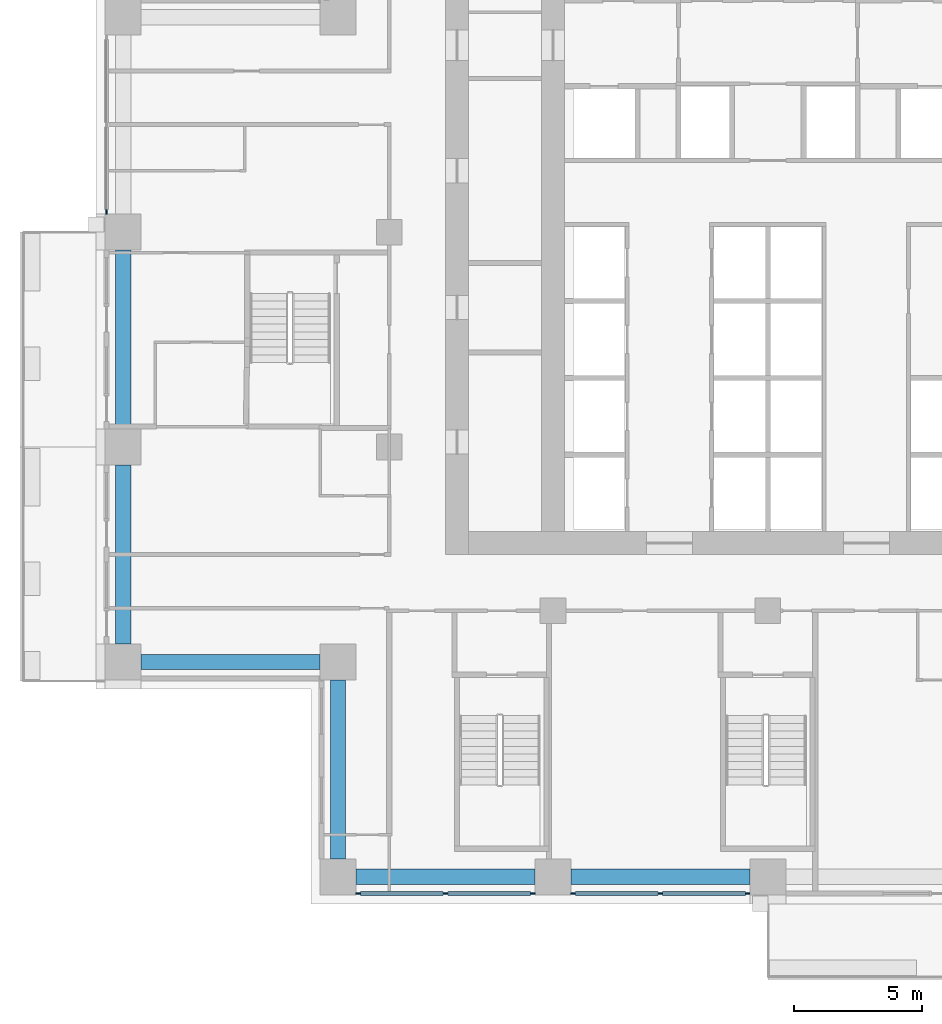
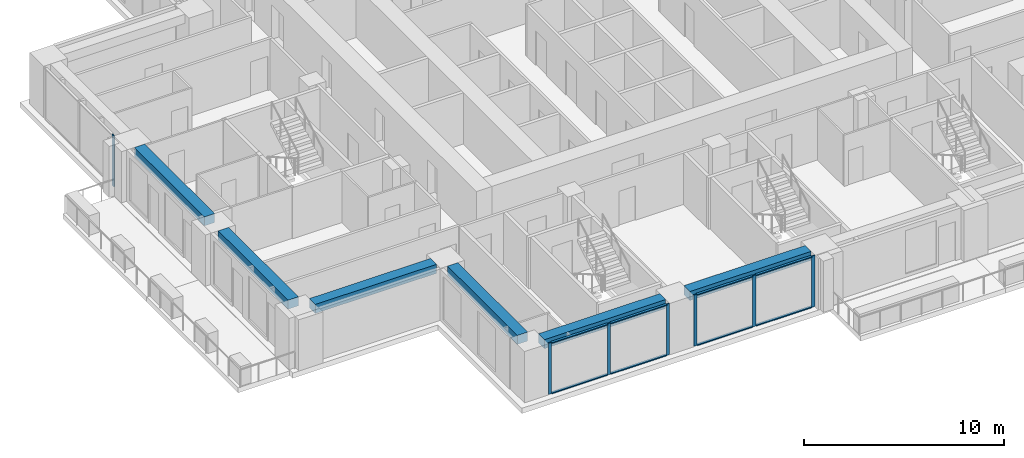
# One storey, part 2 of 17: 15 members, 6 beams, 3 elements without a shape of their own.
"""IFC4 building model written with IfcOpenShell, lengths in metres."""

from ifc_helpers import new_model, si_unit, direction, frame, origin, origin_2d, place, context, subcontext, project, spatial, rectangle, extrude, material, material_profile, profile_set, type_object, element, aggregate, save


model = new_model("IFC4")

# Units and contexts
model_context = context("Model", 3, precision=1e-05, world=origin(), true_north=direction((0.0, 1.0)))
body_context = subcontext(model_context, "Body", "Model", "MODEL_VIEW")
ifc_project = project(units=[si_unit("LENGTHUNIT", "METRE"), si_unit("AREAUNIT", "SQUARE_METRE"), si_unit("VOLUMEUNIT", "CUBIC_METRE"), si_unit("PLANEANGLEUNIT", "RADIAN"), si_unit("MASSUNIT", "GRAM", prefix="KILO")], contexts=[model_context])

# Site, building, storey
site_placement = place(None, origin())
site = spatial("IfcSite", under=ifc_project, at=site_placement, CompositionType="ELEMENT")
building_placement = place(site_placement, origin())
building = spatial("IfcBuilding", under=site, at=building_placement, Name="Vermilion Ogive Tower", CompositionType="ELEMENT")
storey_placement = place(building_placement, frame((0.0, 0.0, 51.75)))
storey = spatial("IfcBuildingStorey", under=building, at=storey_placement, Name="L11", CompositionType="ELEMENT", Elevation=51.75)

# Curtain wall, members
ifc_material_1 = material(Name="Low-iron laminated glazing in aluminium frame", Category="aluminium")
curtain_wall_type = type_object("IfcCurtainWallType", Name="Curtain wall CW7", PredefinedType="NOTDEFINED", material=ifc_material_1)
curtain_wall_1_placement = place(storey_placement, origin())
curtain_wall_1 = element("IfcCurtainWall", 1, at=curtain_wall_1_placement, inside=storey, type_object=curtain_wall_type, Name="Glazed skin S1", PredefinedType="NOTDEFINED")
ifc_material_2 = material(Name="Aluminium mullion", Category="aluminium")
ifc_material_profile_1 = material_profile(ifc_material_2, rectangle(XDim=0.06005859375, YDim=0.179931640625, at=origin_2d()), Name="AL 60x180")
ifc_profile_set_1 = profile_set([ifc_material_profile_1], Name="Aluminium mullion")
member_type_1 = type_object("IfcMemberType", Name="CW7 mullion 60x180", PredefinedType="MULLION", material=ifc_profile_set_1)
member_1_placement = place(storey_placement, frame((-16.010009765625, -21.64990234375, 0.0), z_axis=(0.0, 0.0, 1.0), x_axis=(0.0, 1.0, 0.0)))
member_1 = element("IfcMember", 2, at=member_1_placement, type_object=member_type_1, Name="CW7-S1 mullion 1", PredefinedType="MULLION", context=body_context, shape_type="SweptSolid", body=[
    extrude(rectangle(XDim=0.06005859375, YDim=0.179931640625, at=origin_2d()), origin(), (0.0, 0.0, 1.0), 3.1298828125),
])
member_2_placement = place(storey_placement, frame((-12.60009765625, -21.64990234375, 0.0), z_axis=(0.0, 0.0, 1.0), x_axis=(0.0, 1.0, 0.0)))
member_2 = element("IfcMember", 3, at=member_2_placement, type_object=member_type_1, Name="CW7-S1 mullion 2", PredefinedType="MULLION", context=body_context, shape_type="SweptSolid", body=[
    extrude(rectangle(XDim=0.06005859375, YDim=0.179931640625, at=origin_2d()), origin(), (0.0, 0.0, 1.0), 3.1298828125),
])
member_3_placement = place(storey_placement, frame((-9.18994140625, -21.64990234375, 0.0), z_axis=(0.0, 0.0, 1.0), x_axis=(0.0, 1.0, 0.0)))
member_3 = element("IfcMember", 4, at=member_3_placement, type_object=member_type_1, Name="CW7-S1 mullion 3", PredefinedType="MULLION", context=body_context, shape_type="SweptSolid", body=[
    extrude(rectangle(XDim=0.06005859375, YDim=0.179931640625, at=origin_2d()), origin(), (0.0, 0.0, 1.0), 3.1298828125),
])

curtain_wall_2_placement = place(storey_placement, origin())
curtain_wall_2 = element("IfcCurtainWall", 5, at=curtain_wall_2_placement, inside=storey, type_object=curtain_wall_type, Name="Glazed skin S2", PredefinedType="NOTDEFINED")
member_4_placement = place(storey_placement, frame((-7.610107421875, -21.64990234375, 0.0), z_axis=(0.0, 0.0, 1.0), x_axis=(0.0, 1.0, 0.0)))
member_4 = element("IfcMember", 6, at=member_4_placement, type_object=member_type_1, Name="CW7-S2 mullion 1", PredefinedType="MULLION", context=body_context, shape_type="SweptSolid", body=[
    extrude(rectangle(XDim=0.06005859375, YDim=0.179931640625, at=origin_2d()), origin(), (0.0, 0.0, 1.0), 3.1298828125),
])
member_5_placement = place(storey_placement, frame((-4.199951171875, -21.64990234375, 0.0), z_axis=(0.0, 0.0, 1.0), x_axis=(0.0, 1.0, 0.0)))
member_5 = element("IfcMember", 7, at=member_5_placement, type_object=member_type_1, Name="CW7-S2 mullion 2", PredefinedType="MULLION", context=body_context, shape_type="SweptSolid", body=[
    extrude(rectangle(XDim=0.06005859375, YDim=0.179931640625, at=origin_2d()), origin(), (0.0, 0.0, 1.0), 3.1298828125),
])
member_6_placement = place(storey_placement, frame((-0.7900390625, -21.64990234375, 0.0), z_axis=(0.0, 0.0, 1.0), x_axis=(0.0, 1.0, 0.0)))
member_6 = element("IfcMember", 8, at=member_6_placement, type_object=member_type_1, Name="CW7-S2 mullion 3", PredefinedType="MULLION", context=body_context, shape_type="SweptSolid", body=[
    extrude(rectangle(XDim=0.06005859375, YDim=0.179931640625, at=origin_2d()), origin(), (0.0, 0.0, 1.0), 3.1298828125),
])

# Curtain wall, member
curtain_wall_3_placement = place(storey_placement, origin())
curtain_wall_3 = element("IfcCurtainWall", 9, at=curtain_wall_3_placement, inside=storey, type_object=curtain_wall_type, Name="Glazed skin W1", PredefinedType="NOTDEFINED")
member_7_placement = place(storey_placement, frame((-25.85009765625, 4.989990234375, 0.0), z_axis=(0.0, 0.0, 1.0), x_axis=(1.0, 0.0, 0.0)))
member_7 = element("IfcMember", 10, at=member_7_placement, type_object=member_type_1, Name="CW7-W1 mullion 3", PredefinedType="MULLION", context=body_context, shape_type="SweptSolid", body=[
    extrude(rectangle(XDim=0.06005859375, YDim=0.179931640625, at=origin_2d()), origin(), (0.0, 0.0, 1.0), 3.1298828125),
])
aggregate(curtain_wall_3, [member_7])

# Member
ifc_material_3 = material(Name="Aluminium transom", Category="aluminium")
ifc_material_profile_2 = material_profile(ifc_material_3, rectangle(XDim=0.139892578125, YDim=0.06005859375, at=origin_2d()), Name="AL 60x140")
ifc_profile_set_2 = profile_set([ifc_material_profile_2], Name="Aluminium transom")
member_type_2 = type_object("IfcMemberType", Name="CW7 transom 60x140", PredefinedType="USERDEFINED", material=ifc_profile_set_2)
member_8_placement = place(storey_placement, frame((-15.919921875, -21.64990234375, 0.030029296875), z_axis=(1.0, 0.0, 0.0), x_axis=(0.0, 1.0, 0.0)))
member_8 = element("IfcMember", 11, at=member_8_placement, type_object=member_type_2, Name="CW7-S1 transom 1.1", ObjectType="TRANSOM", PredefinedType="USERDEFINED", context=body_context, shape_type="SweptSolid", body=[
    extrude(rectangle(XDim=0.139892578125, YDim=0.06005859375, at=origin_2d()), origin(), (0.0, 0.0, 1.0), 3.22998046875),
])

member_9_placement = place(storey_placement, frame((-15.919921875, -21.64990234375, 3.10009765625), z_axis=(1.0, 0.0, 0.0), x_axis=(0.0, 1.0, 0.0)))
member_9 = element("IfcMember", 12, at=member_9_placement, type_object=member_type_2, Name="CW7-S1 transom 1.2", ObjectType="TRANSOM", PredefinedType="USERDEFINED", context=body_context, shape_type="SweptSolid", body=[
    extrude(rectangle(XDim=0.139892578125, YDim=0.06005859375, at=origin_2d()), origin(), (0.0, 0.0, 1.0), 3.22998046875),
])

member_10_placement = place(storey_placement, frame((-12.510009765625, -21.64990234375, 0.030029296875), z_axis=(1.0, 0.0, 0.0), x_axis=(0.0, 1.0, 0.0)))
member_10 = element("IfcMember", 13, at=member_10_placement, type_object=member_type_2, Name="CW7-S1 transom 2.1", ObjectType="TRANSOM", PredefinedType="USERDEFINED", context=body_context, shape_type="SweptSolid", body=[
    extrude(rectangle(XDim=0.139892578125, YDim=0.06005859375, at=origin_2d()), origin(), (0.0, 0.0, 1.0), 3.22998046875),
])

member_11_placement = place(storey_placement, frame((-12.510009765625, -21.64990234375, 3.10009765625), z_axis=(1.0, 0.0, 0.0), x_axis=(0.0, 1.0, 0.0)))
member_11 = element("IfcMember", 14, at=member_11_placement, type_object=member_type_2, Name="CW7-S1 transom 2.2", ObjectType="TRANSOM", PredefinedType="USERDEFINED", context=body_context, shape_type="SweptSolid", body=[
    extrude(rectangle(XDim=0.139892578125, YDim=0.06005859375, at=origin_2d()), origin(), (0.0, 0.0, 1.0), 3.22998046875),
])

aggregate(curtain_wall_1, [member_1, member_2, member_3, member_8, member_9, member_10, member_11])

member_12_placement = place(storey_placement, frame((-7.52001953125, -21.64990234375, 0.030029296875), z_axis=(1.0, 0.0, 0.0), x_axis=(0.0, 1.0, 0.0)))
member_12 = element("IfcMember", 15, at=member_12_placement, type_object=member_type_2, Name="CW7-S2 transom 1.1", ObjectType="TRANSOM", PredefinedType="USERDEFINED", context=body_context, shape_type="SweptSolid", body=[
    extrude(rectangle(XDim=0.139892578125, YDim=0.06005859375, at=origin_2d()), origin(), (0.0, 0.0, 1.0), 3.22998046875),
])

member_13_placement = place(storey_placement, frame((-7.52001953125, -21.64990234375, 3.10009765625), z_axis=(1.0, 0.0, 0.0), x_axis=(0.0, 1.0, 0.0)))
member_13 = element("IfcMember", 16, at=member_13_placement, type_object=member_type_2, Name="CW7-S2 transom 1.2", ObjectType="TRANSOM", PredefinedType="USERDEFINED", context=body_context, shape_type="SweptSolid", body=[
    extrude(rectangle(XDim=0.139892578125, YDim=0.06005859375, at=origin_2d()), origin(), (0.0, 0.0, 1.0), 3.22998046875),
])

member_14_placement = place(storey_placement, frame((-4.110107421875, -21.64990234375, 0.030029296875), z_axis=(1.0, 0.0, 0.0), x_axis=(0.0, 1.0, 0.0)))
member_14 = element("IfcMember", 17, at=member_14_placement, type_object=member_type_2, Name="CW7-S2 transom 2.1", ObjectType="TRANSOM", PredefinedType="USERDEFINED", context=body_context, shape_type="SweptSolid", body=[
    extrude(rectangle(XDim=0.139892578125, YDim=0.06005859375, at=origin_2d()), origin(), (0.0, 0.0, 1.0), 3.230224609375),
])

member_15_placement = place(storey_placement, frame((-4.110107421875, -21.64990234375, 3.10009765625), z_axis=(1.0, 0.0, 0.0), x_axis=(0.0, 1.0, 0.0)))
member_15 = element("IfcMember", 18, at=member_15_placement, type_object=member_type_2, Name="CW7-S2 transom 2.2", ObjectType="TRANSOM", PredefinedType="USERDEFINED", context=body_context, shape_type="SweptSolid", body=[
    extrude(rectangle(XDim=0.139892578125, YDim=0.06005859375, at=origin_2d()), origin(), (0.0, 0.0, 1.0), 3.230224609375),
])

aggregate(curtain_wall_2, [member_4, member_5, member_6, member_12, member_13, member_14, member_15])

# Beams
ifc_material_4 = material(Name="Concrete B45", Category="concrete")
ifc_material_profile_3 = material_profile(ifc_material_4, rectangle(XDim=0.60009765625, YDim=0.550048828125, at=origin_2d()), Name="600 x 550")
ifc_profile_set_3 = profile_set([ifc_material_profile_3], Name="Concrete B45")
beam_type = type_object("IfcBeamType", Name="Edge beam 600 x 550 B45", PredefinedType="BEAM", material=ifc_profile_set_3)
for number, where, z_axis, x_axis, name in (
    (19, (-16.10009765625, -21.0, 2.85498046875), (1.0, 0.0, 0.0), (0.0, 1.0, 0.0), "L11-EB-1"),
    (20, (-7.699951171875, -21.0, 2.85498046875), (1.0, 0.0, 0.0), (0.0, 1.0, 0.0), "L11-EB-2"),
    (21, (-25.199951171875, 3.5, 2.85498046875), (0.0, -1.0, 0.0), (1.0, 0.0, 0.0), "L11-EB-15"),
    (22, (-25.199951171875, -4.89990234375, 2.85498046875), (0.0, -1.0, 0.0), (1.0, 0.0, 0.0), "L11-EB-16"),
    (23, (-24.5, -12.60009765625, 2.85498046875), (1.0, 0.0, 0.0), (0.0, 1.0, 0.0), "L11-EB-17"),
    (24, (-16.800048828125, -13.300048828125, 2.85498046875), (0.0, -1.0, 0.0), (1.0, 0.0, 0.0), "L11-EB-18"),
):
    element("IfcBeam", number, at=place(storey_placement, frame(where, z_axis=z_axis, x_axis=x_axis)), inside=storey, type_object=beam_type, Name=name, PredefinedType="BEAM", context=body_context, shape_type="SweptSolid", body=[
        extrude(rectangle(XDim=0.60009765625, YDim=0.550048828125, at=origin_2d()), origin(), (0.0, 0.0, 1.0), 7.0),
    ])

save(model, "model.ifc")
